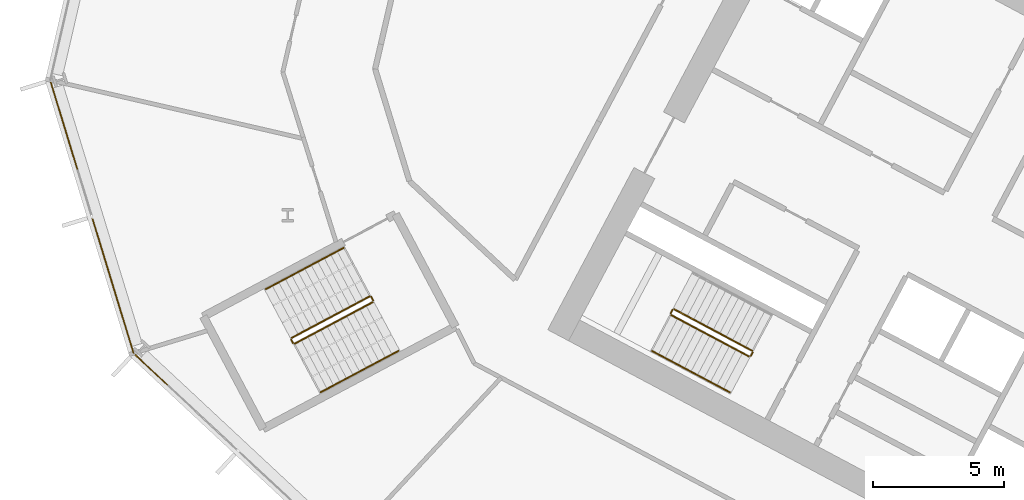
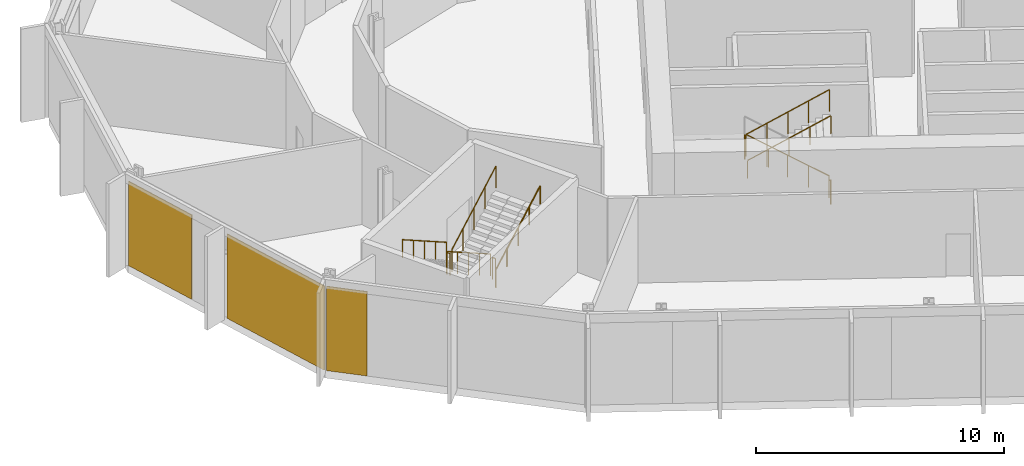
# One storey, part 22 of 30: 11 railings, 3 coverings, 2 elements without a shape of their own.
"""IFC4 building model written with IfcOpenShell, lengths in metres."""

from ifc_helpers import new_model, si_unit, direction, frame, origin, origin_2d, place, context, subcontext, project, spatial, polyline, rectangle, outline, extrude, material, layer, layer_set, type_object, element, aggregate, save


model = new_model("IFC4")

# Units and contexts
model_context = context("Model", 3, precision=1e-05, world=origin(), true_north=direction((0.0, 1.0)))
body_context = subcontext(model_context, "Body", "Model", "MODEL_VIEW")
ifc_project = project(units=[si_unit("LENGTHUNIT", "METRE"), si_unit("AREAUNIT", "SQUARE_METRE"), si_unit("VOLUMEUNIT", "CUBIC_METRE"), si_unit("PLANEANGLEUNIT", "RADIAN"), si_unit("MASSUNIT", "GRAM", prefix="KILO")], contexts=[model_context])

# Site, building, storey
site_placement = place(None, origin())
site = spatial("IfcSite", under=ifc_project, at=site_placement, CompositionType="ELEMENT")
building_placement = place(site_placement, origin())
building = spatial("IfcBuilding", under=site, at=building_placement, Name="Cormorant Relay Tower", CompositionType="ELEMENT")
storey_placement = place(building_placement, frame((0.0, 0.0, 80.0)))
storey = spatial("IfcBuildingStorey", under=building, at=storey_placement, Name="L15", CompositionType="ELEMENT", Elevation=80.0)

# Curtain wall, coverings
ifc_material_1 = material(Name="Aluminium 6063-T6 anodised bronze", Category="aluminium")
ifc_layer_1 = layer(ifc_material_1, 0.199951171875)
ifc_layer_set_1 = layer_set([ifc_layer_1], Name="CW1 unitised bronze curtain wall with vertical fins")
curtain_wall_type = type_object("IfcCurtainWallType", Name="CW1 unitised bronze curtain wall with vertical fins", PredefinedType="NOTDEFINED", material=ifc_layer_set_1)
curtain_wall_1_placement = place(storey_placement, origin())
curtain_wall_1 = element("IfcCurtainWall", 1, at=curtain_wall_1_placement, inside=storey, type_object=curtain_wall_type, Name="CW1 curtain wall 12", PredefinedType="NOTDEFINED")
ifc_material_2 = material(Name="Pale bronze anodised aluminium insulated panel", Category="aluminium")
ifc_layer_2 = layer(ifc_material_2, 0.0400390625)
ifc_layer_set_2 = layer_set([ifc_layer_2], Name="CW1 pale bronze insulated panel 40")
covering_type = type_object("IfcCoveringType", Name="CW1 pale bronze insulated panel 40", PredefinedType="CLADDING", material=ifc_layer_set_2)
covering_1_placement = place(storey_placement, frame((-60.20751953125, 18.6494140625, 0.0), z_axis=(0.0, 0.0, 1.0), x_axis=(0.292371704723, -0.956304755963, 0.0)))
covering_1 = element("IfcCovering", 2, at=covering_1_placement, type_object=covering_type, Name="CW1 panel S00", PredefinedType="CLADDING", context=body_context, shape_type="SweptSolid", body=[
    extrude(rectangle(XDim=3.485107421875, YDim=0.0400390625, at=origin_2d()), origin(), (0.0, 0.0, 1.0), 4.14990234375),
])
covering_2_placement = place(storey_placement, frame((-58.344482421875, 12.55517578125, 0.0), z_axis=(0.0, 0.0, 1.0), x_axis=(0.292371704723, -0.956304755963, 0.0)))
covering_2 = element("IfcCovering", 3, at=covering_2_placement, type_object=covering_type, Name="CW1 panel S02", PredefinedType="CLADDING", context=body_context, shape_type="SweptSolid", body=[
    extrude(rectangle(XDim=5.360107421875, YDim=0.0400390625, at=origin_2d()), origin(), (0.0, 0.0, 1.0), 4.14990234375),
])
aggregate(curtain_wall_1, [covering_1, covering_2])

# Curtain wall, covering
curtain_wall_2_placement = place(storey_placement, origin())
curtain_wall_2 = element("IfcCurtainWall", 4, at=curtain_wall_2_placement, inside=storey, type_object=curtain_wall_type, Name="CW1 curtain wall 13", PredefinedType="NOTDEFINED")
covering_3_placement = place(storey_placement, frame((-56.88427734375, 9.357421875, 0.0), z_axis=(0.0, 0.0, 1.0), x_axis=(0.731353701619, -0.681998360062, 0.0)))
covering_3 = element("IfcCovering", 5, at=covering_3_placement, type_object=covering_type, Name="CW1 panel S00", PredefinedType="CLADDING", context=body_context, shape_type="SweptSolid", body=[
    extrude(rectangle(XDim=1.685302734375, YDim=0.0400390625, at=origin_2d()), origin(), (0.0, 0.0, 1.0), 4.14990234375),
])
aggregate(curtain_wall_2, [covering_3])

# Railings
ifc_material_3 = material(Name="Steel ASTM A572 Grade 50 (Fy 345 MPa)", Category="steel")
railing_type_1 = type_object("IfcRailingType", Name="Stair guard 1100", PredefinedType="GUARDRAIL", material=ifc_material_3)
railing_1_placement = place(storey_placement, frame((-33.9921875, 10.08935546875, 0.177001953125)))
element("IfcRailing", 6, at=railing_1_placement, inside=storey, type_object=railing_type_1, Name="L15 A2 stair guard 1", PredefinedType="GUARDRAIL", context=body_context, shape_type="SweptSolid", body=[
    extrude(outline(polyline([(0.022216796875, 0.00927734375), (0.00927734375, 0.022216796875), (-0.00927734375, 0.022216796875), (-0.022216796875, 0.00927734375), (-0.022216796875, -0.00927734375), (-0.00927734375, -0.022216796875), (0.00927734375, -0.022216796875), (0.022216796875, -0.00927734375), (0.022216796875, 0.00927734375)])), frame((0.0, 0.0, 1.076171875), z_axis=(-0.746440668329, 0.396869088057, 0.534154711306), x_axis=(-0.46945269911, -0.882957622595, 0.0)), (0.0, 0.0, 1.0), 3.974609375),
    extrude(outline(polyline([(0.019287109375, 0.008056640625), (0.008056640625, 0.019287109375), (-0.008056640625, 0.019287109375), (-0.019287109375, 0.008056640625), (-0.019287109375, -0.008056640625), (-0.008056640625, -0.019287109375), (0.008056640625, -0.019287109375), (0.019287109375, -0.008056640625), (0.019287109375, 0.008056640625)])), origin(), (0.0, 0.0, 1.0), 1.052001953125),
    extrude(outline(polyline([(0.019287109375, 0.008056640625), (0.008056640625, 0.019287109375), (-0.008056640625, 0.019287109375), (-0.019287109375, 0.008056640625), (-0.019287109375, -0.008056640625), (-0.008056640625, -0.019287109375), (0.008056640625, -0.019287109375), (0.019287109375, -0.008056640625), (0.019287109375, 0.008056640625)])), frame((-0.74169921875, 0.394287109375, 0.53076171875)), (0.0, 0.0, 1.0), 1.052001953125),
    extrude(outline(polyline([(0.019287109375, 0.008056640625), (0.008056640625, 0.019287109375), (-0.008056640625, 0.019287109375), (-0.019287109375, 0.008056640625), (-0.019287109375, -0.008056640625), (-0.008056640625, -0.019287109375), (0.008056640625, -0.019287109375), (0.019287109375, -0.008056640625), (0.019287109375, 0.008056640625)])), frame((-1.4833984375, 0.78857421875, 1.0615234375)), (0.0, 0.0, 1.0), 1.052001953125),
    extrude(outline(polyline([(0.019287109375, 0.008056640625), (0.008056640625, 0.019287109375), (-0.008056640625, 0.019287109375), (-0.019287109375, 0.008056640625), (-0.019287109375, -0.008056640625), (-0.008056640625, -0.019287109375), (0.008056640625, -0.019287109375), (0.019287109375, -0.008056640625), (0.019287109375, 0.008056640625)])), frame((-2.22509765625, 1.18310546875, 1.59228515625)), (0.0, 0.0, 1.0), 1.052001953125),
    extrude(outline(polyline([(0.019287109375, 0.008056640625), (0.008056640625, 0.019287109375), (-0.008056640625, 0.019287109375), (-0.019287109375, 0.008056640625), (-0.019287109375, -0.008056640625), (-0.008056640625, -0.019287109375), (0.008056640625, -0.019287109375), (0.019287109375, -0.008056640625), (0.019287109375, 0.008056640625)])), frame((-2.966796875, 1.577392578125, 2.123046875)), (0.0, 0.0, 1.0), 1.052001953125),
])
railing_2_placement = place(storey_placement, frame((-37.026611328125, 11.64599609375, 2.300048828125)))
element("IfcRailing", 7, at=railing_2_placement, inside=storey, type_object=railing_type_1, Name="L15 A2 stair guard 2", PredefinedType="GUARDRAIL", context=body_context, shape_type="SweptSolid", body=[
    extrude(outline(polyline([(0.022216796875, 0.00927734375), (0.00927734375, 0.022216796875), (-0.00927734375, 0.022216796875), (-0.022216796875, 0.00927734375), (-0.022216796875, -0.00927734375), (-0.00927734375, -0.022216796875), (0.00927734375, -0.022216796875), (0.022216796875, -0.00927734375), (0.022216796875, 0.00927734375)])), frame((0.0, 0.0, 1.076171875), z_axis=(-0.469234640946, -0.883073525669, 0.0), x_axis=(0.883073525669, -0.469234640946, 0.0)), (0.0, 0.0, 1.0), 0.14990234375),
    extrude(outline(polyline([(0.019287109375, 0.008056640625), (0.008056640625, 0.019287109375), (-0.008056640625, 0.019287109375), (-0.019287109375, 0.008056640625), (-0.019287109375, -0.008056640625), (-0.008056640625, -0.019287109375), (0.008056640625, -0.019287109375), (0.019287109375, -0.008056640625), (0.019287109375, 0.008056640625)])), origin(), (0.0, 0.0, 1.0), 1.052001953125),
    extrude(outline(polyline([(0.019287109375, 0.008056640625), (0.008056640625, 0.019287109375), (-0.008056640625, 0.019287109375), (-0.019287109375, 0.008056640625), (-0.019287109375, -0.008056640625), (-0.008056640625, -0.019287109375), (0.008056640625, -0.019287109375), (0.019287109375, -0.008056640625), (0.019287109375, 0.008056640625)])), frame((-0.0703125, -0.13232421875, 0.0)), (0.0, 0.0, 1.0), 1.052001953125),
])
railing_3_placement = place(storey_placement, frame((-37.076171875, 11.446044921875, 2.476806640625)))
element("IfcRailing", 8, at=railing_3_placement, inside=storey, type_object=railing_type_1, Name="L15 A2 stair guard 3", PredefinedType="GUARDRAIL", context=body_context, shape_type="SweptSolid", body=[
    extrude(outline(polyline([(0.022216796875, 0.00927734375), (0.00927734375, 0.022216796875), (-0.00927734375, 0.022216796875), (-0.022216796875, 0.00927734375), (-0.022216796875, -0.00927734375), (-0.00927734375, -0.022216796875), (0.00927734375, -0.022216796875), (0.022216796875, -0.00927734375), (0.022216796875, 0.00927734375)])), frame((0.0, 0.0, 1.076171875), z_axis=(0.746388972956, -0.396874261729, 0.534223100798), x_axis=(0.469482818608, 0.88294160794, 0.0)), (0.0, 0.0, 1.0), 3.974609375),
    extrude(outline(polyline([(0.019287109375, 0.008056640625), (0.008056640625, 0.019287109375), (-0.008056640625, 0.019287109375), (-0.019287109375, 0.008056640625), (-0.019287109375, -0.008056640625), (-0.008056640625, -0.019287109375), (0.008056640625, -0.019287109375), (0.019287109375, -0.008056640625), (0.019287109375, 0.008056640625)])), origin(), (0.0, 0.0, 1.0), 1.052001953125),
    extrude(outline(polyline([(0.019287109375, 0.008056640625), (0.008056640625, 0.019287109375), (-0.008056640625, 0.019287109375), (-0.019287109375, 0.008056640625), (-0.019287109375, -0.008056640625), (-0.008056640625, -0.019287109375), (0.008056640625, -0.019287109375), (0.019287109375, -0.008056640625), (0.019287109375, 0.008056640625)])), frame((0.74169921875, -0.394287109375, 0.53076171875)), (0.0, 0.0, 1.0), 1.052001953125),
    extrude(outline(polyline([(0.019287109375, 0.008056640625), (0.008056640625, 0.019287109375), (-0.008056640625, 0.019287109375), (-0.019287109375, 0.008056640625), (-0.019287109375, -0.008056640625), (-0.008056640625, -0.019287109375), (0.008056640625, -0.019287109375), (0.019287109375, -0.008056640625), (0.019287109375, 0.008056640625)])), frame((1.4833984375, -0.78857421875, 1.0615234375)), (0.0, 0.0, 1.0), 1.052001953125),
    extrude(outline(polyline([(0.019287109375, 0.008056640625), (0.008056640625, 0.019287109375), (-0.008056640625, 0.019287109375), (-0.019287109375, 0.008056640625), (-0.019287109375, -0.008056640625), (-0.008056640625, -0.019287109375), (0.008056640625, -0.019287109375), (0.019287109375, -0.008056640625), (0.019287109375, 0.008056640625)])), frame((2.224853515625, -1.18310546875, 1.592529296875)), (0.0, 0.0, 1.0), 1.052001953125),
    extrude(outline(polyline([(0.019287109375, 0.008056640625), (0.008056640625, 0.019287109375), (-0.008056640625, 0.019287109375), (-0.019287109375, 0.008056640625), (-0.019287109375, -0.008056640625), (-0.008056640625, -0.019287109375), (0.008056640625, -0.019287109375), (0.019287109375, -0.008056640625), (0.019287109375, 0.008056640625)])), frame((2.966552734375, -1.577392578125, 2.123291015625)), (0.0, 0.0, 1.0), 1.052001953125),
])
railing_4_placement = place(storey_placement, frame((-33.971435546875, 10.021728515625, 0.0)))
element("IfcRailing", 9, at=railing_4_placement, inside=storey, type_object=railing_type_1, Name="L15 A2 stair guard 4", PredefinedType="GUARDRAIL", context=body_context, shape_type="SweptSolid", body=[
    extrude(outline(polyline([(0.022216796875, 0.00927734375), (0.00927734375, 0.022216796875), (-0.00927734375, 0.022216796875), (-0.022216796875, 0.00927734375), (-0.022216796875, -0.00927734375), (-0.00927734375, -0.022216796875), (0.00927734375, -0.022216796875), (0.022216796875, -0.00927734375), (0.022216796875, 0.00927734375)])), frame((0.0, 0.0, 1.076171875), z_axis=(-0.470503732759, -0.882398003998, 0.0), x_axis=(0.882398003998, -0.470503732759, 0.0)), (0.0, 0.0, 1.0), 0.14990234375),
    extrude(outline(polyline([(0.019287109375, 0.008056640625), (0.008056640625, 0.019287109375), (-0.008056640625, 0.019287109375), (-0.019287109375, 0.008056640625), (-0.019287109375, -0.008056640625), (-0.008056640625, -0.019287109375), (0.008056640625, -0.019287109375), (0.019287109375, -0.008056640625), (0.019287109375, 0.008056640625)])), origin(), (0.0, 0.0, 1.0), 1.052001953125),
    extrude(outline(polyline([(0.019287109375, 0.008056640625), (0.008056640625, 0.019287109375), (-0.008056640625, 0.019287109375), (-0.019287109375, 0.008056640625), (-0.019287109375, -0.008056640625), (-0.008056640625, -0.019287109375), (0.008056640625, -0.019287109375), (0.019287109375, -0.008056640625), (0.019287109375, 0.008056640625)])), frame((-0.070556640625, -0.13232421875, 0.0)), (0.0, 0.0, 1.0), 1.052001953125),
])
railing_5_placement = place(storey_placement, frame((-48.5693359375, 12.155517578125, 0.177001953125)))
element("IfcRailing", 10, at=railing_5_placement, inside=storey, type_object=railing_type_1, Name="L15 RP1 stair guard 1", PredefinedType="GUARDRAIL", context=body_context, shape_type="SweptSolid", body=[
    extrude(outline(polyline([(0.022216796875, 0.00927734375), (0.00927734375, 0.022216796875), (-0.00927734375, 0.022216796875), (-0.022216796875, 0.00927734375), (-0.022216796875, -0.00927734375), (-0.00927734375, -0.022216796875), (0.00927734375, -0.022216796875), (0.022216796875, -0.00927734375), (0.022216796875, 0.00927734375)])), frame((0.0, 0.0, 1.076171875), z_axis=(-0.746422470992, -0.396920836698, 0.534141689248), x_axis=(0.469509342547, -0.882927503967, 0.0)), (0.0, 0.0, 1.0), 3.974609375),
    extrude(outline(polyline([(0.019287109375, 0.008056640625), (0.008056640625, 0.019287109375), (-0.008056640625, 0.019287109375), (-0.019287109375, 0.008056640625), (-0.019287109375, -0.008056640625), (-0.008056640625, -0.019287109375), (0.008056640625, -0.019287109375), (0.019287109375, -0.008056640625), (0.019287109375, 0.008056640625)])), origin(), (0.0, 0.0, 1.0), 1.052001953125),
    extrude(outline(polyline([(0.019287109375, 0.008056640625), (0.008056640625, 0.019287109375), (-0.008056640625, 0.019287109375), (-0.019287109375, 0.008056640625), (-0.019287109375, -0.008056640625), (-0.008056640625, -0.019287109375), (0.008056640625, -0.019287109375), (0.019287109375, -0.008056640625), (0.019287109375, 0.008056640625)])), frame((-0.74169921875, -0.39453125, 0.53076171875)), (0.0, 0.0, 1.0), 1.052001953125),
    extrude(outline(polyline([(0.019287109375, 0.008056640625), (0.008056640625, 0.019287109375), (-0.008056640625, 0.019287109375), (-0.019287109375, 0.008056640625), (-0.019287109375, -0.008056640625), (-0.008056640625, -0.019287109375), (0.008056640625, -0.019287109375), (0.019287109375, -0.008056640625), (0.019287109375, 0.008056640625)])), frame((-1.4833984375, -0.788818359375, 1.0615234375)), (0.0, 0.0, 1.0), 1.052001953125),
    extrude(outline(polyline([(0.019287109375, 0.008056640625), (0.008056640625, 0.019287109375), (-0.008056640625, 0.019287109375), (-0.019287109375, 0.008056640625), (-0.019287109375, -0.008056640625), (-0.008056640625, -0.019287109375), (0.008056640625, -0.019287109375), (0.019287109375, -0.008056640625), (0.019287109375, 0.008056640625)])), frame((-2.22509765625, -1.18310546875, 1.59228515625)), (0.0, 0.0, 1.0), 1.052001953125),
    extrude(outline(polyline([(0.019287109375, 0.008056640625), (0.008056640625, 0.019287109375), (-0.008056640625, 0.019287109375), (-0.019287109375, 0.008056640625), (-0.019287109375, -0.008056640625), (-0.008056640625, -0.019287109375), (0.008056640625, -0.019287109375), (0.019287109375, -0.008056640625), (0.019287109375, 0.008056640625)])), frame((-2.966796875, -1.57763671875, 2.123046875)), (0.0, 0.0, 1.0), 1.052001953125),
])
railing_6_placement = place(storey_placement, frame((-51.556640625, 10.51025390625, 2.300048828125)))
element("IfcRailing", 11, at=railing_6_placement, inside=storey, type_object=railing_type_1, Name="L15 RP1 stair guard 2", PredefinedType="GUARDRAIL", context=body_context, shape_type="SweptSolid", body=[
    extrude(outline(polyline([(0.022216796875, 0.00927734375), (0.00927734375, 0.022216796875), (-0.00927734375, 0.022216796875), (-0.022216796875, 0.00927734375), (-0.022216796875, -0.00927734375), (-0.00927734375, -0.022216796875), (0.00927734375, -0.022216796875), (0.022216796875, -0.00927734375), (0.022216796875, 0.00927734375)])), frame((0.0, 0.0, 1.076171875), z_axis=(0.469234640946, -0.883073525669, 0.0), x_axis=(0.883073525669, 0.469234640946, 0.0)), (0.0, 0.0, 1.0), 0.14990234375),
    extrude(outline(polyline([(0.019287109375, 0.008056640625), (0.008056640625, 0.019287109375), (-0.008056640625, 0.019287109375), (-0.019287109375, 0.008056640625), (-0.019287109375, -0.008056640625), (-0.008056640625, -0.019287109375), (0.008056640625, -0.019287109375), (0.019287109375, -0.008056640625), (0.019287109375, 0.008056640625)])), origin(), (0.0, 0.0, 1.0), 1.052001953125),
    extrude(outline(polyline([(0.019287109375, 0.008056640625), (0.008056640625, 0.019287109375), (-0.008056640625, 0.019287109375), (-0.019287109375, 0.008056640625), (-0.019287109375, -0.008056640625), (-0.008056640625, -0.019287109375), (0.008056640625, -0.019287109375), (0.019287109375, -0.008056640625), (0.019287109375, 0.008056640625)])), frame((0.0703125, -0.13232421875, 0.0)), (0.0, 0.0, 1.0), 1.052001953125),
])
railing_7_placement = place(storey_placement, frame((-51.418701171875, 10.357177734375, 2.476806640625)))
element("IfcRailing", 12, at=railing_7_placement, inside=storey, type_object=railing_type_1, Name="L15 RP1 stair guard 3", PredefinedType="GUARDRAIL", context=body_context, shape_type="SweptSolid", body=[
    extrude(outline(polyline([(0.022216796875, 0.00927734375), (0.00927734375, 0.022216796875), (-0.00927734375, 0.022216796875), (-0.022216796875, 0.00927734375), (-0.022216796875, -0.00927734375), (-0.00927734375, -0.022216796875), (0.00927734375, -0.022216796875), (0.022216796875, -0.00927734375), (0.022216796875, 0.00927734375)])), frame((0.0, 0.0, 1.076171875), z_axis=(0.746416176936, 0.396856066424, 0.534198608526), x_axis=(-0.46945269911, 0.882957622595, 0.0)), (0.0, 0.0, 1.0), 3.974609375),
    extrude(outline(polyline([(0.019287109375, 0.008056640625), (0.008056640625, 0.019287109375), (-0.008056640625, 0.019287109375), (-0.019287109375, 0.008056640625), (-0.019287109375, -0.008056640625), (-0.008056640625, -0.019287109375), (0.008056640625, -0.019287109375), (0.019287109375, -0.008056640625), (0.019287109375, 0.008056640625)])), origin(), (0.0, 0.0, 1.0), 1.052001953125),
    extrude(outline(polyline([(0.019287109375, 0.008056640625), (0.008056640625, 0.019287109375), (-0.008056640625, 0.019287109375), (-0.019287109375, 0.008056640625), (-0.019287109375, -0.008056640625), (-0.008056640625, -0.019287109375), (0.008056640625, -0.019287109375), (0.019287109375, -0.008056640625), (0.019287109375, 0.008056640625)])), frame((0.74169921875, 0.394287109375, 0.53076171875)), (0.0, 0.0, 1.0), 1.052001953125),
    extrude(outline(polyline([(0.019287109375, 0.008056640625), (0.008056640625, 0.019287109375), (-0.008056640625, 0.019287109375), (-0.019287109375, 0.008056640625), (-0.019287109375, -0.008056640625), (-0.008056640625, -0.019287109375), (0.008056640625, -0.019287109375), (0.019287109375, -0.008056640625), (0.019287109375, 0.008056640625)])), frame((1.4833984375, 0.78857421875, 1.0615234375)), (0.0, 0.0, 1.0), 1.052001953125),
    extrude(outline(polyline([(0.019287109375, 0.008056640625), (0.008056640625, 0.019287109375), (-0.008056640625, 0.019287109375), (-0.019287109375, 0.008056640625), (-0.019287109375, -0.008056640625), (-0.008056640625, -0.019287109375), (0.008056640625, -0.019287109375), (0.019287109375, -0.008056640625), (0.019287109375, 0.008056640625)])), frame((2.22509765625, 1.18310546875, 1.592529296875)), (0.0, 0.0, 1.0), 1.052001953125),
    extrude(outline(polyline([(0.019287109375, 0.008056640625), (0.008056640625, 0.019287109375), (-0.008056640625, 0.019287109375), (-0.019287109375, 0.008056640625), (-0.019287109375, -0.008056640625), (-0.008056640625, -0.019287109375), (0.008056640625, -0.019287109375), (0.019287109375, -0.008056640625), (0.019287109375, 0.008056640625)])), frame((2.966796875, 1.577392578125, 2.123291015625)), (0.0, 0.0, 1.0), 1.052001953125),
])
railing_8_placement = place(storey_placement, frame((-48.501708984375, 12.134765625, 0.0)))
element("IfcRailing", 13, at=railing_8_placement, inside=storey, type_object=railing_type_1, Name="L15 RP1 stair guard 4", PredefinedType="GUARDRAIL", context=body_context, shape_type="SweptSolid", body=[
    extrude(outline(polyline([(0.022216796875, 0.00927734375), (0.00927734375, 0.022216796875), (-0.00927734375, 0.022216796875), (-0.022216796875, 0.00927734375), (-0.022216796875, -0.00927734375), (-0.00927734375, -0.022216796875), (0.00927734375, -0.022216796875), (0.022216796875, -0.00927734375), (0.022216796875, 0.00927734375)])), frame((0.0, 0.0, 1.076171875), z_axis=(0.46856034887, -0.8834314911, 0.0), x_axis=(0.8834314911, 0.46856034887, 0.0)), (0.0, 0.0, 1.0), 0.150146484375),
    extrude(outline(polyline([(0.019287109375, 0.008056640625), (0.008056640625, 0.019287109375), (-0.008056640625, 0.019287109375), (-0.019287109375, 0.008056640625), (-0.019287109375, -0.008056640625), (-0.008056640625, -0.019287109375), (0.008056640625, -0.019287109375), (0.019287109375, -0.008056640625), (0.019287109375, 0.008056640625)])), origin(), (0.0, 0.0, 1.0), 1.052001953125),
    extrude(outline(polyline([(0.019287109375, 0.008056640625), (0.008056640625, 0.019287109375), (-0.008056640625, 0.019287109375), (-0.019287109375, 0.008056640625), (-0.019287109375, -0.008056640625), (-0.008056640625, -0.019287109375), (0.008056640625, -0.019287109375), (0.019287109375, -0.008056640625), (0.019287109375, 0.008056640625)])), frame((0.0703125, -0.132568359375, 0.0)), (0.0, 0.0, 1.0), 1.052001953125),
])
ifc_material_4 = material(Name="Steel ASTM A572 Grade 50 (Fy 345 MPa)", Category="steel")
railing_type_2 = type_object("IfcRailingType", Name="Stair handrail 900", PredefinedType="HANDRAIL", material=ifc_material_4)
railing_9_placement = place(storey_placement, frame((-37.803955078125, 10.077392578125, 2.476806640625)))
element("IfcRailing", 14, at=railing_9_placement, inside=storey, type_object=railing_type_2, Name="L15 A2 stair handrail 2", PredefinedType="HANDRAIL", context=body_context, shape_type="SweptSolid", body=[
    extrude(outline(polyline([(0.022216796875, 0.00927734375), (0.00927734375, 0.022216796875), (-0.00927734375, 0.022216796875), (-0.022216796875, 0.00927734375), (-0.022216796875, -0.00927734375), (-0.00927734375, -0.022216796875), (0.00927734375, -0.022216796875), (0.022216796875, -0.00927734375), (0.022216796875, 0.00927734375)])), frame((0.0, 0.0, 0.8759765625), z_axis=(0.746416176936, -0.396856066424, 0.534198608526), x_axis=(0.46945269911, 0.882957622595, 0.0)), (0.0, 0.0, 1.0), 3.974609375),
    extrude(outline(polyline([(0.019287109375, 0.008056640625), (0.008056640625, 0.019287109375), (-0.008056640625, 0.019287109375), (-0.019287109375, 0.008056640625), (-0.019287109375, -0.008056640625), (-0.008056640625, -0.019287109375), (0.008056640625, -0.019287109375), (0.019287109375, -0.008056640625), (0.019287109375, 0.008056640625)])), origin(), (0.0, 0.0, 1.0), 0.851806640625),
    extrude(outline(polyline([(0.019287109375, 0.008056640625), (0.008056640625, 0.019287109375), (-0.008056640625, 0.019287109375), (-0.019287109375, 0.008056640625), (-0.019287109375, -0.008056640625), (-0.008056640625, -0.019287109375), (0.008056640625, -0.019287109375), (0.019287109375, -0.008056640625), (0.019287109375, 0.008056640625)])), frame((0.74169921875, -0.394287109375, 0.53076171875)), (0.0, 0.0, 1.0), 0.851806640625),
    extrude(outline(polyline([(0.019287109375, 0.008056640625), (0.008056640625, 0.019287109375), (-0.008056640625, 0.019287109375), (-0.019287109375, 0.008056640625), (-0.019287109375, -0.008056640625), (-0.008056640625, -0.019287109375), (0.008056640625, -0.019287109375), (0.019287109375, -0.008056640625), (0.019287109375, 0.008056640625)])), frame((1.4833984375, -0.78857421875, 1.0615234375)), (0.0, 0.0, 1.0), 0.851806640625),
    extrude(outline(polyline([(0.019287109375, 0.008056640625), (0.008056640625, 0.019287109375), (-0.008056640625, 0.019287109375), (-0.019287109375, 0.008056640625), (-0.019287109375, -0.008056640625), (-0.008056640625, -0.019287109375), (0.008056640625, -0.019287109375), (0.019287109375, -0.008056640625), (0.019287109375, 0.008056640625)])), frame((2.22509765625, -1.18310546875, 1.592529296875)), (0.0, 0.0, 1.0), 0.851806640625),
    extrude(outline(polyline([(0.019287109375, 0.008056640625), (0.008056640625, 0.019287109375), (-0.008056640625, 0.019287109375), (-0.019287109375, 0.008056640625), (-0.019287109375, -0.008056640625), (-0.008056640625, -0.019287109375), (0.008056640625, -0.019287109375), (0.019287109375, -0.008056640625), (0.019287109375, 0.008056640625)])), frame((2.966796875, -1.577392578125, 2.123291015625)), (0.0, 0.0, 1.0), 0.851806640625),
])
railing_10_placement = place(storey_placement, frame((-49.55517578125, 14.009521484375, 0.177001953125)))
element("IfcRailing", 15, at=railing_10_placement, inside=storey, type_object=railing_type_2, Name="L15 RP1 stair handrail 1", PredefinedType="HANDRAIL", context=body_context, shape_type="SweptSolid", body=[
    extrude(outline(polyline([(0.022216796875, 0.00927734375), (0.00927734375, 0.022216796875), (-0.00927734375, 0.022216796875), (-0.022216796875, 0.00927734375), (-0.022216796875, -0.00927734375), (-0.00927734375, -0.022216796875), (0.00927734375, -0.022216796875), (0.022216796875, -0.00927734375), (0.022216796875, 0.00927734375)])), frame((0.0, 0.0, 0.8759765625), z_axis=(-0.746440668329, -0.396869088057, 0.534154711306), x_axis=(0.46945269911, -0.882957622595, 0.0)), (0.0, 0.0, 1.0), 3.974609375),
    extrude(outline(polyline([(0.019287109375, 0.008056640625), (0.008056640625, 0.019287109375), (-0.008056640625, 0.019287109375), (-0.019287109375, 0.008056640625), (-0.019287109375, -0.008056640625), (-0.008056640625, -0.019287109375), (0.008056640625, -0.019287109375), (0.019287109375, -0.008056640625), (0.019287109375, 0.008056640625)])), origin(), (0.0, 0.0, 1.0), 0.851806640625),
    extrude(outline(polyline([(0.019287109375, 0.008056640625), (0.008056640625, 0.019287109375), (-0.008056640625, 0.019287109375), (-0.019287109375, 0.008056640625), (-0.019287109375, -0.008056640625), (-0.008056640625, -0.019287109375), (0.008056640625, -0.019287109375), (0.019287109375, -0.008056640625), (0.019287109375, 0.008056640625)])), frame((-0.74169921875, -0.394287109375, 0.53076171875)), (0.0, 0.0, 1.0), 0.851806640625),
    extrude(outline(polyline([(0.019287109375, 0.008056640625), (0.008056640625, 0.019287109375), (-0.008056640625, 0.019287109375), (-0.019287109375, 0.008056640625), (-0.019287109375, -0.008056640625), (-0.008056640625, -0.019287109375), (0.008056640625, -0.019287109375), (0.019287109375, -0.008056640625), (0.019287109375, 0.008056640625)])), frame((-1.4833984375, -0.78857421875, 1.0615234375)), (0.0, 0.0, 1.0), 0.851806640625),
    extrude(outline(polyline([(0.019287109375, 0.008056640625), (0.008056640625, 0.019287109375), (-0.008056640625, 0.019287109375), (-0.019287109375, 0.008056640625), (-0.019287109375, -0.008056640625), (-0.008056640625, -0.019287109375), (0.008056640625, -0.019287109375), (0.019287109375, -0.008056640625), (0.019287109375, 0.008056640625)])), frame((-2.22509765625, -1.18310546875, 1.59228515625)), (0.0, 0.0, 1.0), 0.851806640625),
    extrude(outline(polyline([(0.019287109375, 0.008056640625), (0.008056640625, 0.019287109375), (-0.008056640625, 0.019287109375), (-0.019287109375, 0.008056640625), (-0.019287109375, -0.008056640625), (-0.008056640625, -0.019287109375), (0.008056640625, -0.019287109375), (0.019287109375, -0.008056640625), (0.019287109375, 0.008056640625)])), frame((-2.966796875, -1.577392578125, 2.123046875)), (0.0, 0.0, 1.0), 0.851806640625),
])
railing_11_placement = place(storey_placement, frame((-50.432861328125, 8.503173828125, 2.476806640625)))
element("IfcRailing", 16, at=railing_11_placement, inside=storey, type_object=railing_type_2, Name="L15 RP1 stair handrail 2", PredefinedType="HANDRAIL", context=body_context, shape_type="SweptSolid", body=[
    extrude(outline(polyline([(0.022216796875, 0.00927734375), (0.00927734375, 0.022216796875), (-0.00927734375, 0.022216796875), (-0.022216796875, 0.00927734375), (-0.022216796875, -0.00927734375), (-0.00927734375, -0.022216796875), (0.00927734375, -0.022216796875), (0.022216796875, -0.00927734375), (0.022216796875, 0.00927734375)])), frame((0.0, 0.0, 0.8759765625), z_axis=(0.746416176936, 0.396856066424, 0.534198608526), x_axis=(-0.46945269911, 0.882957622595, 0.0)), (0.0, 0.0, 1.0), 3.974609375),
    extrude(outline(polyline([(0.019287109375, 0.008056640625), (0.008056640625, 0.019287109375), (-0.008056640625, 0.019287109375), (-0.019287109375, 0.008056640625), (-0.019287109375, -0.008056640625), (-0.008056640625, -0.019287109375), (0.008056640625, -0.019287109375), (0.019287109375, -0.008056640625), (0.019287109375, 0.008056640625)])), origin(), (0.0, 0.0, 1.0), 0.851806640625),
    extrude(outline(polyline([(0.019287109375, 0.008056640625), (0.008056640625, 0.019287109375), (-0.008056640625, 0.019287109375), (-0.019287109375, 0.008056640625), (-0.019287109375, -0.008056640625), (-0.008056640625, -0.019287109375), (0.008056640625, -0.019287109375), (0.019287109375, -0.008056640625), (0.019287109375, 0.008056640625)])), frame((0.74169921875, 0.394287109375, 0.53076171875)), (0.0, 0.0, 1.0), 0.851806640625),
    extrude(outline(polyline([(0.019287109375, 0.008056640625), (0.008056640625, 0.019287109375), (-0.008056640625, 0.019287109375), (-0.019287109375, 0.008056640625), (-0.019287109375, -0.008056640625), (-0.008056640625, -0.019287109375), (0.008056640625, -0.019287109375), (0.019287109375, -0.008056640625), (0.019287109375, 0.008056640625)])), frame((1.4833984375, 0.78857421875, 1.0615234375)), (0.0, 0.0, 1.0), 0.851806640625),
    extrude(outline(polyline([(0.019287109375, 0.008056640625), (0.008056640625, 0.019287109375), (-0.008056640625, 0.019287109375), (-0.019287109375, 0.008056640625), (-0.019287109375, -0.008056640625), (-0.008056640625, -0.019287109375), (0.008056640625, -0.019287109375), (0.019287109375, -0.008056640625), (0.019287109375, 0.008056640625)])), frame((2.22509765625, 1.18310546875, 1.592529296875)), (0.0, 0.0, 1.0), 0.851806640625),
    extrude(outline(polyline([(0.019287109375, 0.008056640625), (0.008056640625, 0.019287109375), (-0.008056640625, 0.019287109375), (-0.019287109375, 0.008056640625), (-0.019287109375, -0.008056640625), (-0.008056640625, -0.019287109375), (0.008056640625, -0.019287109375), (0.019287109375, -0.008056640625), (0.019287109375, 0.008056640625)])), frame((2.966796875, 1.577392578125, 2.123291015625)), (0.0, 0.0, 1.0), 0.851806640625),
])

save(model, "model.ifc")
